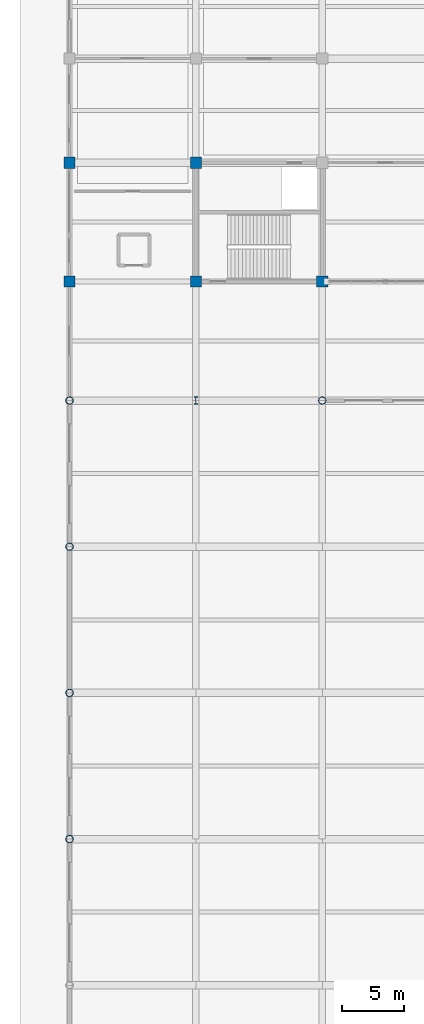
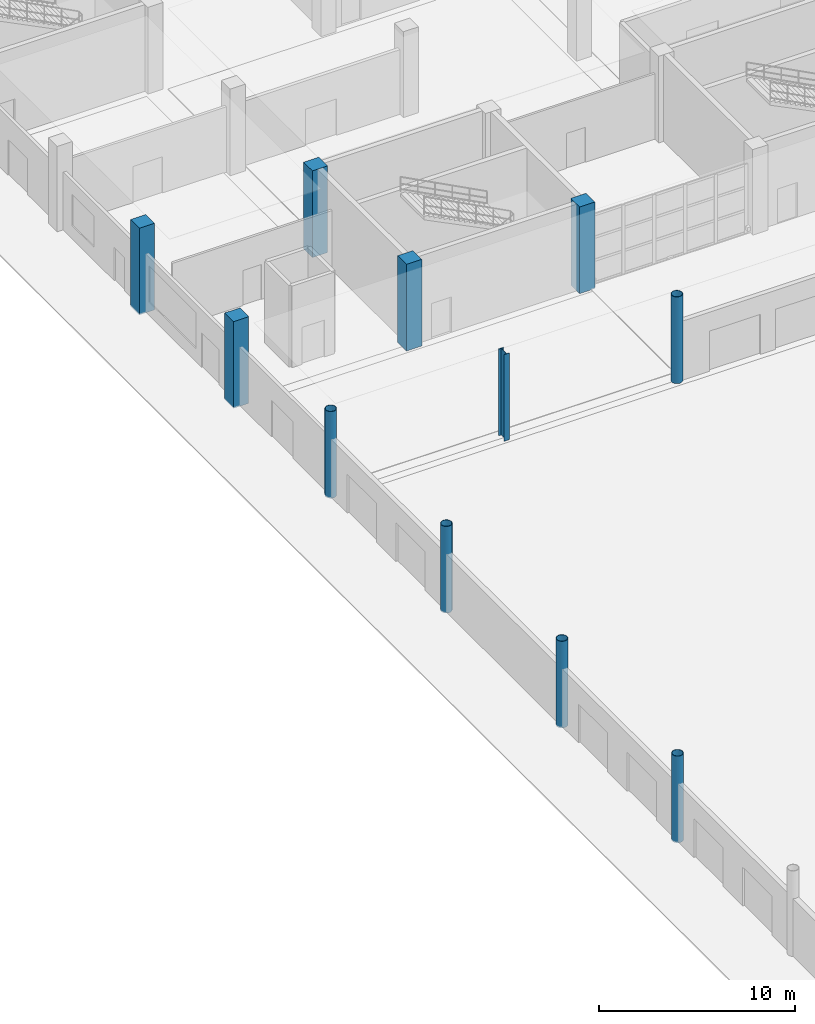
# One storey, part 5 of 124: 11 columns.
"""IFC4 building model written with IfcOpenShell, lengths in metres."""

from ifc_helpers import new_model, si_unit, direction, frame, origin, origin_2d, place, context, subcontext, project, spatial, rectangle, hollow_circle, i_section, extrude, material, material_profile, profile_set, type_object, element, save


model = new_model("IFC4")

# Units and contexts
model_context = context("Model", 3, precision=1e-05, world=origin(), true_north=direction((0.0, 1.0)))
body_context = subcontext(model_context, "Body", "Model", "MODEL_VIEW")
ifc_project = project(units=[si_unit("LENGTHUNIT", "METRE"), si_unit("AREAUNIT", "SQUARE_METRE"), si_unit("VOLUMEUNIT", "CUBIC_METRE"), si_unit("PLANEANGLEUNIT", "RADIAN"), si_unit("MASSUNIT", "GRAM", prefix="KILO")], contexts=[model_context])

# Site, building, storey
site_placement = place(None, origin())
site = spatial("IfcSite", under=ifc_project, at=site_placement, CompositionType="ELEMENT")
building_placement = place(site_placement, origin())
building = spatial("IfcBuilding", under=site, at=building_placement, Name="Brelvane Convention Centre", CompositionType="ELEMENT")
storey_placement = place(building_placement, origin())
storey = spatial("IfcBuildingStorey", under=building, at=storey_placement, Name="L00", CompositionType="ELEMENT", Elevation=0.0)

# Columns
ifc_material_1 = material(Name="Concrete M50", Category="concrete")
ifc_material_profile_1 = material_profile(ifc_material_1, rectangle(XDim=0.89990234375, YDim=0.89990234375, at=origin_2d()), Name="RC 900x900")
ifc_profile_set_1 = profile_set([ifc_material_profile_1], Name="Concrete M50")
column_type_1 = type_object("IfcColumnType", Name="RC Column C-RC2 (RC 900x900)", PredefinedType="COLUMN", material=ifc_profile_set_1)
for number, where, z_axis, x_axis, name in (
    (1, (0.0, 109.199951171875, 0.0), (0.0, 0.0, 1.0), (1.0, 0.0, 0.0), "Column 1-L (L00)"),
    (2, (0.0, 118.800048828125, 0.0), (0.0, 0.0, 1.0), (1.0, 0.0, 0.0), "Column 1-M (L00)"),
    (3, (10.199951171875, 109.199951171875, 0.0), (0.0, 0.0, 1.0), (1.0, 0.0, 0.0), "Column 2-L (L00)"),
    (4, (10.199951171875, 118.800048828125, 0.0), (0.0, 0.0, 1.0), (1.0, 0.0, 0.0), "Column 2-M (L00)"),
    (5, (20.39990234375, 109.199951171875, 0.0), (0.0, 0.0, 1.0), (1.0, 0.0, 0.0), "Column 3-L (L00)"),
):
    element("IfcColumn", number, at=place(storey_placement, frame(where, z_axis=z_axis, x_axis=x_axis)), inside=storey, type_object=column_type_1, Name=name, PredefinedType="COLUMN", context=body_context, shape_type="SweptSolid", body=[
        extrude(rectangle(XDim=0.89990234375, YDim=0.89990234375, at=origin_2d()), origin(), (0.0, 0.0, 1.0), 5.39990234375),
    ])
ifc_material_2 = material(Name="Steel E450 (450 MPa)", Category="steel")
ifc_material_profile_2 = material_profile(ifc_material_2, hollow_circle(Radius=0.304931640625, WallThickness=0.02490234375, at=origin_2d()), Name="CHS 610.0x25.0")
ifc_profile_set_2 = profile_set([ifc_material_profile_2], Name="Steel E450 (450 MPa)")
column_type_2 = type_object("IfcColumnType", Name="Steel Column C-ST1 (CHS 610.0x25.0)", PredefinedType="COLUMN", material=ifc_profile_set_2)
for number, where, z_axis, x_axis, name in (
    (6, (0.0, 64.199951171875, 0.0), (0.0, 0.0, 1.0), (1.0, 0.0, 0.0), "Column 1-G (L00)"),
    (7, (0.0, 76.0, 0.0), (0.0, 0.0, 1.0), (1.0, 0.0, 0.0), "Column 1-H (L00)"),
    (8, (0.0, 87.800048828125, 0.0), (0.0, 0.0, 1.0), (1.0, 0.0, 0.0), "Column 1-J (L00)"),
    (9, (0.0, 99.60009765625, 0.0), (0.0, 0.0, 1.0), (1.0, 0.0, 0.0), "Column 1-K (L00)"),
    (10, (20.39990234375, 99.60009765625, 0.0), (0.0, 0.0, 1.0), (1.0, 0.0, 0.0), "Column 3-K (L00)"),
):
    element("IfcColumn", number, at=place(storey_placement, frame(where, z_axis=z_axis, x_axis=x_axis)), inside=storey, type_object=column_type_2, Name=name, PredefinedType="COLUMN", context=body_context, shape_type="SweptSolid", body=[
        extrude(hollow_circle(Radius=0.304931640625, WallThickness=0.02490234375, at=origin_2d()), origin(), (0.0, 0.0, 1.0), 5.39990234375),
    ])
ifc_material_3 = material(Name="Steel E450 (450 MPa)", Category="steel")
ifc_material_profile_3 = material_profile(ifc_material_3, i_section(OverallWidth=0.300048828125, OverallDepth=0.60009765625, WebThickness=0.015380859375, FlangeThickness=0.030029296875, FilletRadius=0.027099609375, at=origin_2d()), Name="WPB 600x300")
ifc_profile_set_3 = profile_set([ifc_material_profile_3], Name="Steel E450 (450 MPa)")
column_type_3 = type_object("IfcColumnType", Name="Steel Column C-ST5 (WPB 600x300)", PredefinedType="COLUMN", material=ifc_profile_set_3)
column_placement = place(storey_placement, frame((10.199951171875, 99.60009765625, 0.0), z_axis=(0.0, 0.0, 1.0), x_axis=(1.0, 0.0, 0.0)))
element("IfcColumn", 11, at=column_placement, inside=storey, type_object=column_type_3, Name="Column 2-K (L00)", PredefinedType="COLUMN", context=body_context, shape_type="SweptSolid", body=[
    extrude(i_section(OverallWidth=0.300048828125, OverallDepth=0.60009765625, WebThickness=0.015380859375, FlangeThickness=0.030029296875, FilletRadius=0.027099609375, at=origin_2d()), origin(), (0.0, 0.0, 1.0), 5.39990234375),
])

save(model, "model.ifc")
